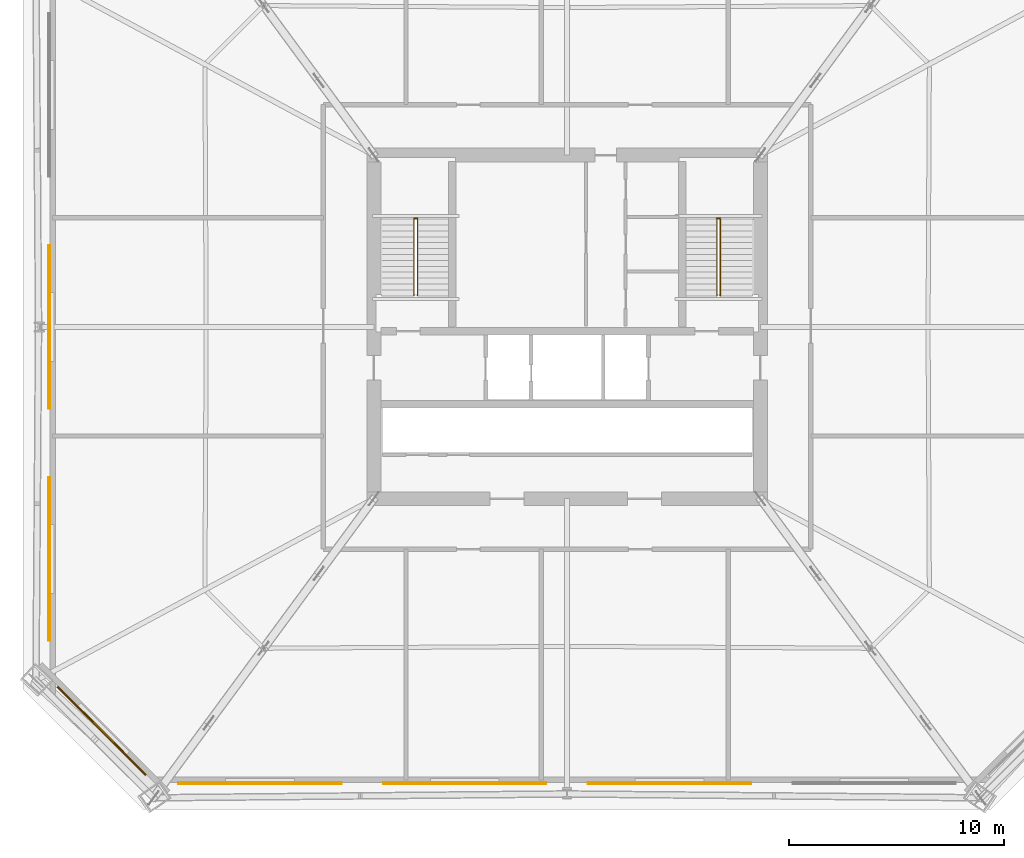
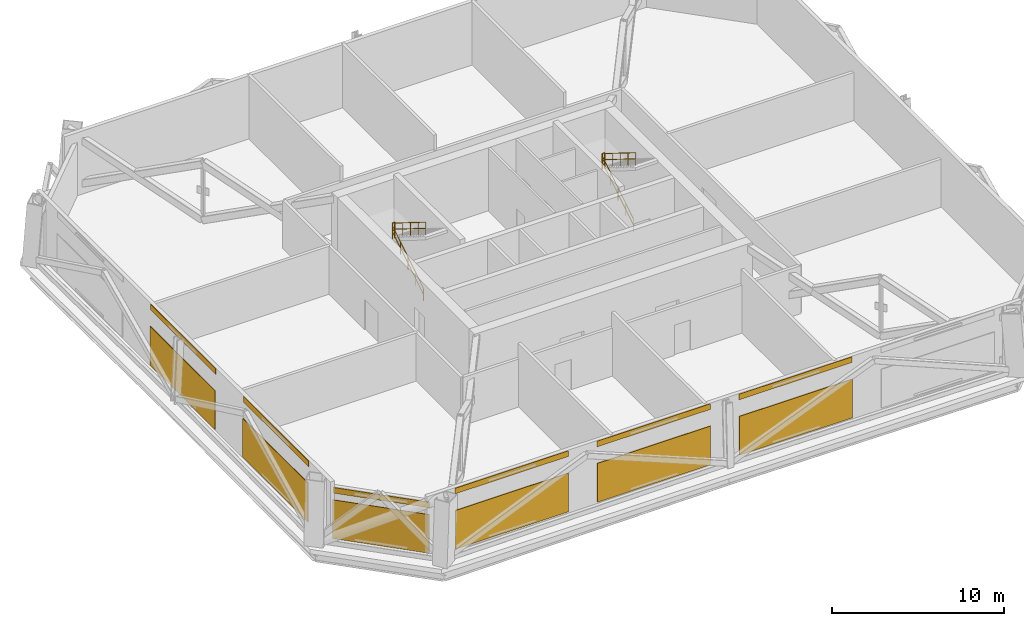
# One storey, part 13 of 14: 6 coverings, 6 railings, 6 shading devices.
"""IFC4 building model written with IfcOpenShell, lengths in metres."""

from ifc_helpers import new_model, si_unit, direction, frame, origin, origin_2d, place, context, subcontext, project, spatial, rectangle, circle, extrude, material, layer, layer_set, type_object, element, save


model = new_model("IFC4")

# Units and contexts
model_context = context("Model", 3, precision=1e-05, world=origin(), true_north=direction((0.0, 1.0)))
body_context = subcontext(model_context, "Body", "Model", "MODEL_VIEW")
ifc_project = project(units=[si_unit("LENGTHUNIT", "METRE"), si_unit("AREAUNIT", "SQUARE_METRE"), si_unit("VOLUMEUNIT", "CUBIC_METRE"), si_unit("PLANEANGLEUNIT", "RADIAN"), si_unit("MASSUNIT", "GRAM", prefix="KILO")], contexts=[model_context])

# Site, building, storey
site_placement = place(None, origin())
site = spatial("IfcSite", under=ifc_project, at=site_placement, CompositionType="ELEMENT")
building_placement = place(site_placement, origin())
building = spatial("IfcBuilding", under=site, at=building_placement, Name="Caelvoria Tower", CompositionType="ELEMENT")
storey_placement = place(building_placement, frame((0.0, 0.0, 85.60009765625)))
storey = spatial("IfcBuildingStorey", under=building, at=storey_placement, Name="L22", CompositionType="ELEMENT", Elevation=85.60009765625)

# Coverings
ifc_material_1 = material(Name="Perforated Architectural Bronze Cladding Screen", Category="bronze")
ifc_layer_1 = layer(ifc_material_1, 0.0400390625, Name="Perforated Architectural Bronze Cladding Screen")
ifc_layer_set_1 = layer_set([ifc_layer_1], Name="Perforated Bronze Louvre Cladding Band 40 - Perforated Architectural Bronze Cladding Screen")
covering_type = type_object("IfcCoveringType", Name="Perforated Bronze Louvre Cladding Band 40", PredefinedType="CLADDING", material=ifc_layer_set_1)
for number, where, z_axis, x_axis, name in (
    (1, (31.695068359375, 10.771240234375, 4.06005859375), (0.0, 0.0, 1.0), (1.0, 0.0, 0.0), "Perforated Bronze Screen Band L22-E0-00"),
    (2, (41.231689453125, 10.771240234375, 4.06005859375), (0.0, 0.0, 1.0), (1.0, 0.0, 0.0), "Perforated Bronze Screen Band L22-E0-01"),
    (3, (50.768310546875, 10.771240234375, 4.06005859375), (0.0, 0.0, 1.0), (1.0, 0.0, 0.0), "Perforated Bronze Screen Band L22-E0-02"),
    (4, (21.90478515625, 32.0, 4.06005859375), (0.0, 0.0, 1.0), (0.0, -1.0, 0.0), "Perforated Bronze Screen Band L22-E6-01"),
    (5, (21.90478515625, 21.195556640625, 4.06005859375), (0.0, 0.0, 1.0), (0.0, -1.0, 0.0), "Perforated Bronze Screen Band L22-E6-02"),
):
    element("IfcCovering", number, at=place(storey_placement, frame(where, z_axis=z_axis, x_axis=x_axis)), inside=storey, type_object=covering_type, Name=name, PredefinedType="CLADDING", context=body_context, shape_type="SweptSolid", body=[
        extrude(rectangle(XDim=7.60009765625, YDim=0.0400390625, at=origin_2d()), origin(), (0.0, 0.0, 1.0), 0.39990234375),
    ])
covering_placement = place(storey_placement, frame((24.342041015625, 13.208740234375, 3.362060546875), z_axis=(0.0, 0.0, 1.0), x_axis=(0.707106781187, -0.707106781187, 0.0)))
element("IfcCovering", 6, at=covering_placement, inside=storey, type_object=covering_type, Name="Perforated Bronze Screen Band L22-E7-00", PredefinedType="CLADDING", context=body_context, shape_type="SweptSolid", body=[
    extrude(rectangle(XDim=5.8076171875, YDim=0.0400390625, at=origin_2d()), origin(), (0.0, 0.0, 1.0), 0.39990234375),
])

# Shading devices
ifc_material_2 = material(Name="Perforated Architectural Bronze Alloy Panel", Category="bronze")
ifc_layer_2 = layer(ifc_material_2, 0.044921875, Name="Perforated Architectural Bronze Alloy Panel")
ifc_layer_set_2 = layer_set([ifc_layer_2], Name="Perforated Bronze Solar Screen Panel SCREEN - Perforated Architectural Bronze Alloy Panel")
shading_device_type = type_object("IfcShadingDeviceType", Name="Perforated Bronze Solar Screen Panel SCREEN", PredefinedType="USERDEFINED", material=ifc_layer_set_2)
for number, where, z_axis, x_axis, name in (
    (7, (31.695068359375, 10.728271484375, 0.159912109375), (0.0, 0.0, 1.0), (1.0, 0.0, 0.0), "Perforated Bronze Solar Screen L22-E0-00"),
    (8, (41.231689453125, 10.728271484375, 0.159912109375), (0.0, 0.0, 1.0), (1.0, 0.0, 0.0), "Perforated Bronze Solar Screen L22-E0-01"),
    (9, (50.768310546875, 10.728271484375, 0.159912109375), (0.0, 0.0, 1.0), (1.0, 0.0, 0.0), "Perforated Bronze Solar Screen L22-E0-02"),
    (10, (21.86181640625, 32.0, 0.159912109375), (0.0, 0.0, 1.0), (0.0, -1.0, 0.0), "Perforated Bronze Solar Screen L22-E6-01"),
    (11, (21.86181640625, 21.195556640625, 0.159912109375), (0.0, 0.0, 1.0), (0.0, -1.0, 0.0), "Perforated Bronze Solar Screen L22-E6-02"),
):
    element("IfcShadingDevice", number, at=place(storey_placement, frame(where, z_axis=z_axis, x_axis=x_axis)), inside=storey, type_object=shading_device_type, Name=name, ObjectType="SCREEN", PredefinedType="USERDEFINED", context=body_context, shape_type="SweptSolid", body=[
        extrude(rectangle(XDim=7.60009765625, YDim=0.044921875, at=origin_2d()), origin(), (0.0, 0.0, 1.0), 2.75),
    ])
shading_device_placement = place(storey_placement, frame((24.311767578125, 13.17822265625, 0.159912109375), z_axis=(0.0, 0.0, 1.0), x_axis=(0.707106781187, -0.707106781187, 0.0)))
element("IfcShadingDevice", 12, at=shading_device_placement, inside=storey, type_object=shading_device_type, Name="Perforated Bronze Solar Screen L22-E7-00", ObjectType="SCREEN", PredefinedType="USERDEFINED", context=body_context, shape_type="SweptSolid", body=[
    extrude(rectangle(XDim=5.8076171875, YDim=0.044921875, at=origin_2d()), origin(), (0.0, 0.0, 1.0), 2.75),
])

# Railings
ifc_material_3 = material(Name="Brushed Stainless Steel Tube", Category="steel")
railing_type_1 = type_object("IfcRailingType", Name="Stair Tubular Stainless Handrail 920", PredefinedType="HANDRAIL", material=ifc_material_3)
railing_1_placement = place(storey_placement, frame((38.8701171875, 33.449951171875, 0.17138671875)))
element("IfcRailing", 13, at=railing_1_placement, inside=storey, type_object=railing_type_1, Name="ST-01 Flight 1 Handrail L22", PredefinedType="HANDRAIL", context=body_context, shape_type="SweptSolid", body=[
    extrude(circle(Radius=0.02392578125, at=origin_2d()), frame((0.0, 0.0, 0.89599609375), z_axis=(0.0, 0.848619585623, 0.529003590628), x_axis=(-1.0, 0.0, 0.0)), (0.0, 0.0, 1.0), 4.212646484375),
    extrude(circle(Radius=0.02392578125, at=origin_2d()), frame((0.0, 0.0, 0.4599609375), z_axis=(0.0, 0.848619585623, 0.529003590628), x_axis=(-1.0, 0.0, 0.0)), (0.0, 0.0, 1.0), 4.212646484375),
    extrude(circle(Radius=0.02099609375, at=origin_2d()), origin(), (0.0, 0.0, 1.0), 0.871826171875),
    extrude(circle(Radius=0.02099609375, at=origin_2d()), frame((0.0, 0.893798828125, 0.55712890625)), (0.0, 0.0, 1.0), 0.871826171875),
    extrude(circle(Radius=0.02099609375, at=origin_2d()), frame((0.0, 1.78759765625, 1.1142578125)), (0.0, 0.0, 1.0), 0.871826171875),
    extrude(circle(Radius=0.02099609375, at=origin_2d()), frame((0.0, 2.68115234375, 1.67138671875)), (0.0, 0.0, 1.0), 0.871826171875),
    extrude(circle(Radius=0.02099609375, at=origin_2d()), frame((0.0, 3.574951171875, 2.228515625)), (0.0, 0.0, 1.0), 0.871826171875),
])
railing_2_placement = place(storey_placement, frame((39.030029296875, 37.02490234375, 2.5712890625)))
element("IfcRailing", 14, at=railing_2_placement, inside=storey, type_object=railing_type_1, Name="ST-01 Flight 2 Handrail L22", PredefinedType="HANDRAIL", context=body_context, shape_type="SweptSolid", body=[
    extrude(circle(Radius=0.02392578125, at=origin_2d()), frame((0.0, 0.0, 0.89599609375), z_axis=(0.0, -0.848619585623, 0.529003590628), x_axis=(1.0, 0.0, 0.0)), (0.0, 0.0, 1.0), 4.212646484375),
    extrude(circle(Radius=0.02392578125, at=origin_2d()), frame((0.0, 0.0, 0.4599609375), z_axis=(0.0, -0.848619585623, 0.529003590628), x_axis=(1.0, 0.0, 0.0)), (0.0, 0.0, 1.0), 4.212646484375),
    extrude(circle(Radius=0.02099609375, at=origin_2d()), origin(), (0.0, 0.0, 1.0), 0.871826171875),
    extrude(circle(Radius=0.02099609375, at=origin_2d()), frame((0.0, -0.893798828125, 0.55712890625)), (0.0, 0.0, 1.0), 0.871826171875),
    extrude(circle(Radius=0.02099609375, at=origin_2d()), frame((0.0, -1.78759765625, 1.1142578125)), (0.0, 0.0, 1.0), 0.871826171875),
    extrude(circle(Radius=0.02099609375, at=origin_2d()), frame((0.0, -2.68115234375, 1.67138671875)), (0.0, 0.0, 1.0), 0.871826171875),
    extrude(circle(Radius=0.02099609375, at=origin_2d()), frame((0.0, -3.574951171875, 2.228515625)), (0.0, 0.0, 1.0), 0.871826171875),
])
railing_3_placement = place(storey_placement, frame((52.969970703125, 33.449951171875, 0.17138671875)))
element("IfcRailing", 15, at=railing_3_placement, inside=storey, type_object=railing_type_1, Name="ST-02 Flight 1 Handrail L22", PredefinedType="HANDRAIL", context=body_context, shape_type="SweptSolid", body=[
    extrude(circle(Radius=0.02392578125, at=origin_2d()), frame((0.0, 0.0, 0.89599609375), z_axis=(0.0, 0.848619585623, 0.529003590628), x_axis=(-1.0, 0.0, 0.0)), (0.0, 0.0, 1.0), 4.212646484375),
    extrude(circle(Radius=0.02392578125, at=origin_2d()), frame((0.0, 0.0, 0.4599609375), z_axis=(0.0, 0.848619585623, 0.529003590628), x_axis=(-1.0, 0.0, 0.0)), (0.0, 0.0, 1.0), 4.212646484375),
    extrude(circle(Radius=0.02099609375, at=origin_2d()), origin(), (0.0, 0.0, 1.0), 0.871826171875),
    extrude(circle(Radius=0.02099609375, at=origin_2d()), frame((0.0, 0.893798828125, 0.55712890625)), (0.0, 0.0, 1.0), 0.871826171875),
    extrude(circle(Radius=0.02099609375, at=origin_2d()), frame((0.0, 1.78759765625, 1.1142578125)), (0.0, 0.0, 1.0), 0.871826171875),
    extrude(circle(Radius=0.02099609375, at=origin_2d()), frame((0.0, 2.68115234375, 1.67138671875)), (0.0, 0.0, 1.0), 0.871826171875),
    extrude(circle(Radius=0.02099609375, at=origin_2d()), frame((0.0, 3.574951171875, 2.228515625)), (0.0, 0.0, 1.0), 0.871826171875),
])
railing_4_placement = place(storey_placement, frame((53.1298828125, 37.02490234375, 2.5712890625)))
element("IfcRailing", 16, at=railing_4_placement, inside=storey, type_object=railing_type_1, Name="ST-02 Flight 2 Handrail L22", PredefinedType="HANDRAIL", context=body_context, shape_type="SweptSolid", body=[
    extrude(circle(Radius=0.02392578125, at=origin_2d()), frame((0.0, 0.0, 0.89599609375), z_axis=(0.0, -0.848619585623, 0.529003590628), x_axis=(1.0, 0.0, 0.0)), (0.0, 0.0, 1.0), 4.212646484375),
    extrude(circle(Radius=0.02392578125, at=origin_2d()), frame((0.0, 0.0, 0.4599609375), z_axis=(0.0, -0.848619585623, 0.529003590628), x_axis=(1.0, 0.0, 0.0)), (0.0, 0.0, 1.0), 4.212646484375),
    extrude(circle(Radius=0.02099609375, at=origin_2d()), origin(), (0.0, 0.0, 1.0), 0.871826171875),
    extrude(circle(Radius=0.02099609375, at=origin_2d()), frame((0.0, -0.893798828125, 0.55712890625)), (0.0, 0.0, 1.0), 0.871826171875),
    extrude(circle(Radius=0.02099609375, at=origin_2d()), frame((0.0, -1.78759765625, 1.1142578125)), (0.0, 0.0, 1.0), 0.871826171875),
    extrude(circle(Radius=0.02099609375, at=origin_2d()), frame((0.0, -2.68115234375, 1.67138671875)), (0.0, 0.0, 1.0), 0.871826171875),
    extrude(circle(Radius=0.02099609375, at=origin_2d()), frame((0.0, -3.574951171875, 2.228515625)), (0.0, 0.0, 1.0), 0.871826171875),
])
ifc_material_4 = material(Name="Brushed Stainless Steel Guardrail", Category="steel")
railing_type_2 = type_object("IfcRailingType", Name="Stair Well and Ramp Guardrail 1120", PredefinedType="GUARDRAIL", material=ifc_material_4)
for number, where, name in (
    (17, (38.8701171875, 37.06494140625, 2.39990234375), "ST-01 Half-Landing Well Guard L22"),
    (18, (52.969970703125, 37.06494140625, 2.39990234375), "ST-02 Half-Landing Well Guard L22"),
):
    element("IfcRailing", number, at=place(storey_placement, frame(where)), inside=storey, type_object=railing_type_2, Name=name, PredefinedType="GUARDRAIL", context=body_context, shape_type="SweptSolid", body=[
        extrude(circle(Radius=0.02392578125, at=origin_2d()), frame((0.0, 0.0, 1.09619140625), z_axis=(1.0, 0.0, 0.0), x_axis=(0.0, 1.0, 0.0)), (0.0, 0.0, 1.0), 0.159912109375),
        extrude(circle(Radius=0.02392578125, at=origin_2d()), frame((0.0, 0.0, 0.56005859375), z_axis=(1.0, 0.0, 0.0), x_axis=(0.0, 1.0, 0.0)), (0.0, 0.0, 1.0), 0.159912109375),
        extrude(circle(Radius=0.02099609375, at=origin_2d()), origin(), (0.0, 0.0, 1.0), 1.072021484375),
        extrude(circle(Radius=0.02099609375, at=origin_2d()), frame((0.159912109375, 0.0, 0.0)), (0.0, 0.0, 1.0), 1.072021484375),
    ])

save(model, "model.ifc")
